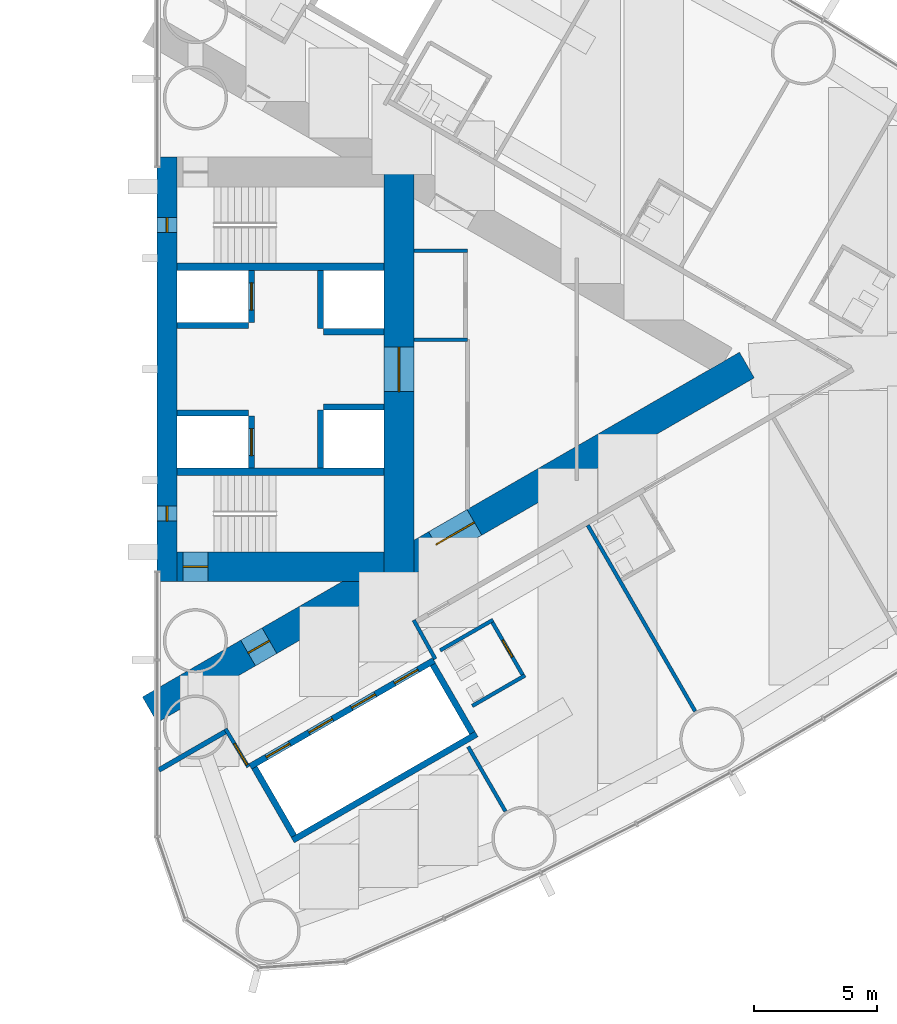
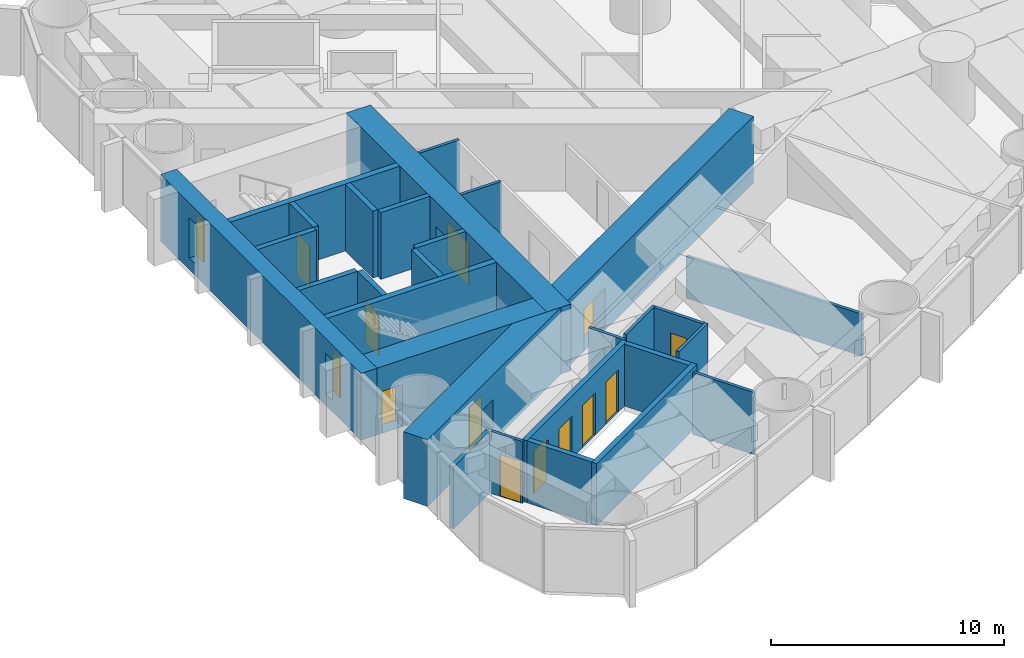
# One storey, part 13 of 18: 28 walls, 12 doors, 2 windows, 14 openings.
"""IFC4 building model written with IfcOpenShell, lengths in metres."""

from ifc_helpers import new_model, si_unit, direction, frame, frame_2d, origin, place, context, subcontext, project, spatial, rectangle, extrude, material, layer, layer_set, type_object, element, fill, save


model = new_model("IFC4")

# Units and contexts
model_context = context("Model", 3, precision=1e-05, world=origin(), true_north=direction((0.0, 1.0)))
body_context = subcontext(model_context, "Body", "Model", "MODEL_VIEW")
ifc_project = project(units=[si_unit("LENGTHUNIT", "METRE"), si_unit("AREAUNIT", "SQUARE_METRE"), si_unit("VOLUMEUNIT", "CUBIC_METRE"), si_unit("PLANEANGLEUNIT", "RADIAN"), si_unit("MASSUNIT", "GRAM", prefix="KILO")], contexts=[model_context])

# Site, building, storey
site_placement = place(None, origin())
site = spatial("IfcSite", under=ifc_project, at=site_placement, CompositionType="ELEMENT")
building_placement = place(site_placement, origin())
building = spatial("IfcBuilding", under=site, at=building_placement, Name="Lancet Gate Hotel", CompositionType="ELEMENT")
storey_placement = place(building_placement, frame((0.0, 0.0, 139.60009765625)))
storey = spatial("IfcBuildingStorey", under=building, at=storey_placement, Name="L37", CompositionType="ELEMENT", Elevation=139.60009765625)

# Wall
ifc_material_1 = material(Name="Moisture resistant board partition")
ifc_layer_1 = layer(ifc_material_1, 0.14990234375)
ifc_layer_set_1 = layer_set([ifc_layer_1], Name="Bathroom wall 150")
wall_type_1 = type_object("IfcWallType", Name="Bathroom wall 150", PredefinedType="PARTITIONING", material=ifc_layer_set_1)
wall_1_placement = place(storey_placement, frame((40.269775390625, -13.644287109375, 0.0), z_axis=(0.0, 0.0, 1.0), x_axis=(0.866031185235, 0.4999899861, 0.0)))
element("IfcWall", 1, at=wall_1_placement, inside=storey, type_object=wall_type_1, Name="T2 bathroom wall 150 L37", PredefinedType="PARTITIONING", context=body_context, shape_type="SweptSolid", body=[
    extrude(rectangle(XDim=2.47509765625, YDim=0.14990234375, at=frame_2d((1.237548828125, 0.0))), origin(), (0.0, 0.0, 1.0), 3.25),
])

# Wall, opening, door
wall_2_placement = place(storey_placement, frame((41.04833984375, -10.192626953125, 0.0), z_axis=(0.0, 0.0, 1.0), x_axis=(0.500047596559, -0.865997922154, 0.0)))
wall_2 = element("IfcWall", 2, at=wall_2_placement, inside=storey, type_object=wall_type_1, Name="T2 bathroom wall 150 L37", PredefinedType="PARTITIONING", context=body_context, shape_type="SweptSolid", body=[
    extrude(rectangle(XDim=2.599853515625, YDim=0.14990234375, at=frame_2d((1.2998046875, 0.0))), origin(), (0.0, 0.0, 1.0), 3.25),
])
opening_1_placement = place(wall_2_placement, frame((0.89990234375, 0.0, 0.0)))
opening_1 = element("IfcOpeningElement", 3, at=opening_1_placement, cuts=wall_2, Name="Opening 3753-B", PredefinedType="OPENING", context=body_context, shape_type="SweptSolid", body=[
    extrude(rectangle(XDim=0.800048828125, YDim=2.199951171875, at=frame_2d((0.39990234375, 1.10009765625))), frame((0.0, 0.0849609375, 0.0), z_axis=(0.0, -1.0, 0.0), x_axis=(1.0, 0.0, 0.0)), (0.0, 0.0, 1.0), 0.169921875),
])
ifc_material_2 = material(Name="Timber door set", Category="wood")
door_type_1 = type_object("IfcDoorType", Name="Bathroom door 800", OperationType="SINGLE_SWING_RIGHT", PredefinedType="DOOR", material=ifc_material_2)
door_1_placement = place(opening_1_placement, origin())
door_1 = element("IfcDoor", 4, at=door_1_placement, inside=storey, type_object=door_type_1, Name="3753-B", OperationType="SINGLE_SWING_RIGHT", OverallHeight=2.199951171875, OverallWidth=0.800048828125, PredefinedType="DOOR", context=body_context, shape_type="SweptSolid", body=[
    extrude(rectangle(XDim=0.800048828125, YDim=2.199951171875, at=frame_2d((0.39990234375, 1.10009765625))), frame((0.0, 0.02490234375, 0.0), z_axis=(0.0, -1.0, 0.0), x_axis=(1.0, 0.0, 0.0)), (0.0, 0.0, 1.0), 0.050048828125),
])
fill(opening_1, door_1)

# Wall
wall_3_placement = place(storey_placement, frame((38.9697265625, -11.392578125, 0.0), z_axis=(0.0, 0.0, 1.0), x_axis=(0.866031185235, 0.4999899861, 0.0)))
element("IfcWall", 5, at=wall_3_placement, inside=storey, type_object=wall_type_1, Name="T2 bathroom wall 150 L37", PredefinedType="PARTITIONING", context=body_context, shape_type="SweptSolid", body=[
    extrude(rectangle(XDim=2.47509765625, YDim=0.14990234375, at=frame_2d((1.237548828125, 0.0))), origin(), (0.0, 0.0, 1.0), 3.25),
])

# Wall, openings, doors
ifc_material_3 = material(Name="Concrete C70/85", Category="concrete")
ifc_layer_2 = layer(ifc_material_3, 1.199951171875)
ifc_layer_set_2 = layer_set([ifc_layer_2], Name="Buttress wall 1200")
wall_type_2 = type_object("IfcWallType", Name="Buttress wall 1200", PredefinedType="SHEAR", material=ifc_layer_set_2)
wall_4_placement = place(storey_placement, frame((27.199951171875, -13.800048828125, 0.0), z_axis=(0.0, 0.0, 1.0), x_axis=(0.866027159892, 0.499996958321, 0.0)))
wall_4 = element("IfcWall", 6, at=wall_4_placement, inside=storey, type_object=wall_type_2, Name="T2 buttress wall S L37", PredefinedType="SHEAR", context=body_context, shape_type="SweptSolid", body=[
    extrude(rectangle(XDim=27.946533203125, YDim=1.199951171875, at=frame_2d((13.97314453125, 0.0))), origin(), (0.0, 0.0, 1.0), 3.5),
])
opening_2_placement = place(wall_4_placement, frame((4.60009765625, 0.0, 0.0)))
opening_2 = element("IfcOpeningElement", 7, at=opening_2_placement, cuts=wall_4, Name="Opening T2-L37-LS", PredefinedType="OPENING", context=body_context, shape_type="SweptSolid", body=[
    extrude(rectangle(XDim=1.0, YDim=2.199951171875, at=frame_2d((0.5, 1.10009765625))), frame((0.0, 0.60986328125, 0.0), z_axis=(0.0, -1.0, 0.0), x_axis=(1.0, 0.0, 0.0)), (0.0, 0.0, 1.0), 1.219970703125),
])
opening_3_placement = place(wall_4_placement, frame((13.39453125, 0.0, 0.0)))
opening_3 = element("IfcOpeningElement", 8, at=opening_3_placement, cuts=wall_4, Name="Opening T2-L37-LHS", PredefinedType="OPENING", context=body_context, shape_type="SweptSolid", body=[
    extrude(rectangle(XDim=1.800048828125, YDim=2.199951171875, at=frame_2d((0.89990234375, 1.10009765625))), frame((0.0, 0.60986328125, 0.0), z_axis=(0.0, -1.0, 0.0), x_axis=(1.0, 0.0, 0.0)), (0.0, 0.0, 1.0), 1.219970703125),
])
ifc_material_4 = material(Name="Timber door set", Category="wood")
door_type_2 = type_object("IfcDoorType", Name="Lobby double door 1800", OperationType="DOUBLE_DOOR_SINGLE_SWING", PredefinedType="DOOR", material=ifc_material_4)
door_2_placement = place(opening_3_placement, origin())
door_2 = element("IfcDoor", 9, at=door_2_placement, inside=storey, type_object=door_type_2, Name="T2-L37-LHS", OperationType="DOUBLE_DOOR_SINGLE_SWING", OverallHeight=2.199951171875, OverallWidth=1.800048828125, PredefinedType="DOOR", context=body_context, shape_type="SweptSolid", body=[
    extrude(rectangle(XDim=1.800048828125, YDim=2.199951171875, at=frame_2d((0.89990234375, 1.10009765625))), frame((0.0, 0.02490234375, 0.0), z_axis=(0.0, -1.0, 0.0), x_axis=(1.0, 0.0, 0.0)), (0.0, 0.0, 1.0), 0.050048828125),
])
fill(opening_3, door_2)
ifc_material_5 = material(Name="Timber door set", Category="wood")
door_type_3 = type_object("IfcDoorType", Name="Stair lobby door 1000", OperationType="SINGLE_SWING_LEFT", PredefinedType="DOOR", material=ifc_material_5)
door_3_placement = place(opening_2_placement, origin())
door_3 = element("IfcDoor", 10, at=door_3_placement, inside=storey, type_object=door_type_3, Name="T2-L37-LS", OperationType="SINGLE_SWING_LEFT", OverallHeight=2.199951171875, OverallWidth=1.0, PredefinedType="DOOR", context=body_context, shape_type="SweptSolid", body=[
    extrude(rectangle(XDim=1.0, YDim=2.199951171875, at=frame_2d((0.5, 1.10009765625))), frame((0.0, 0.02490234375, 0.0), z_axis=(0.0, -1.0, 0.0), x_axis=(1.0, 0.0, 0.0)), (0.0, 0.0, 1.0), 0.050048828125),
])
fill(opening_2, door_3)

# Wall, opening, door
ifc_material_6 = material(Name="Concrete C70/85", Category="concrete")
ifc_layer_3 = layer(ifc_material_6, 1.199951171875)
ifc_layer_set_3 = layer_set([ifc_layer_3], Name="Core wall 1200")
wall_type_3 = type_object("IfcWallType", Name="Core wall 1200", PredefinedType="SHEAR", material=ifc_layer_set_3)
wall_5_placement = place(storey_placement, frame((37.300048828125, -8.60009765625, 0.0), z_axis=(0.0, 0.0, 1.0), x_axis=(0.0, 1.0, 0.0)))
wall_5 = element("IfcWall", 11, at=wall_5_placement, inside=storey, type_object=wall_type_3, Name="T2 core wall back L37", PredefinedType="SHEAR", context=body_context, shape_type="SweptSolid", body=[
    extrude(rectangle(XDim=17.2001953125, YDim=1.199951171875, at=frame_2d((8.60009765625, 0.0))), origin(), (0.0, 0.0, 1.0), 3.5),
])
opening_4_placement = place(wall_5_placement, frame((7.699951171875, 0.0, 0.0)))
opening_4 = element("IfcOpeningElement", 12, at=opening_4_placement, cuts=wall_5, Name="Opening T2-L37-LL", PredefinedType="OPENING", context=body_context, shape_type="SweptSolid", body=[
    extrude(rectangle(XDim=1.800048828125, YDim=2.199951171875, at=frame_2d((0.89990234375, 1.10009765625))), frame((0.0, 0.60986328125, 0.0), z_axis=(0.0, -1.0, 0.0), x_axis=(1.0, 0.0, 0.0)), (0.0, 0.0, 1.0), 1.219970703125),
])
door_4_placement = place(opening_4_placement, origin())
door_4 = element("IfcDoor", 13, at=door_4_placement, inside=storey, type_object=door_type_2, Name="T2-L37-LL", OperationType="DOUBLE_DOOR_SINGLE_SWING", OverallHeight=2.199951171875, OverallWidth=1.800048828125, PredefinedType="DOOR", context=body_context, shape_type="SweptSolid", body=[
    extrude(rectangle(XDim=1.800048828125, YDim=2.199951171875, at=frame_2d((0.89990234375, 1.10009765625))), frame((0.0, 0.02490234375, 0.0), z_axis=(0.0, -1.0, 0.0), x_axis=(1.0, 0.0, 0.0)), (0.0, 0.0, 1.0), 0.050048828125),
])
fill(opening_4, door_4)

wall_6_placement = place(storey_placement, frame((28.300048828125, -8.0, 0.0), z_axis=(0.0, 0.0, 1.0), x_axis=(1.0, 0.0, 0.0)))
wall_6 = element("IfcWall", 14, at=wall_6_placement, inside=storey, type_object=wall_type_3, Name="T2 core wall side-S L37", PredefinedType="SHEAR", context=body_context, shape_type="SweptSolid", body=[
    extrude(rectangle(XDim=8.39990234375, YDim=1.199951171875, at=frame_2d((4.199951171875, 0.0))), origin(), (0.0, 0.0, 1.0), 3.5),
])
opening_5_placement = place(wall_6_placement, frame((0.25, 0.0, 0.0)))
opening_5 = element("IfcOpeningElement", 15, at=opening_5_placement, cuts=wall_6, Name="Opening T2-L37-ST1", PredefinedType="OPENING", context=body_context, shape_type="SweptSolid", body=[
    extrude(rectangle(XDim=1.0, YDim=2.199951171875, at=frame_2d((0.5, 1.10009765625))), frame((0.0, 0.60986328125, 0.0), z_axis=(0.0, -1.0, 0.0), x_axis=(1.0, 0.0, 0.0)), (0.0, 0.0, 1.0), 1.219970703125),
])
ifc_material_7 = material(Name="Timber door set", Category="wood")
door_type_4 = type_object("IfcDoorType", Name="Stair door 1000", OperationType="SINGLE_SWING_RIGHT", PredefinedType="DOOR", material=ifc_material_7)
door_5_placement = place(opening_5_placement, origin())
door_5 = element("IfcDoor", 16, at=door_5_placement, inside=storey, type_object=door_type_4, Name="T2-L37-ST1", OperationType="SINGLE_SWING_RIGHT", OverallHeight=2.199951171875, OverallWidth=1.0, PredefinedType="DOOR", context=body_context, shape_type="SweptSolid", body=[
    extrude(rectangle(XDim=1.0, YDim=2.199951171875, at=frame_2d((0.5, 1.10009765625))), frame((0.0, 0.02490234375, 0.0), z_axis=(0.0, -1.0, 0.0), x_axis=(1.0, 0.0, 0.0)), (0.0, 0.0, 1.0), 0.050048828125),
])
fill(opening_5, door_5)

# Wall, openings, windows
ifc_material_8 = material(Name="Concrete C70/85", Category="concrete")
ifc_layer_4 = layer(ifc_material_8, 0.800048828125)
ifc_layer_set_4 = layer_set([ifc_layer_4], Name="Core wall 800")
wall_type_4 = type_object("IfcWallType", Name="Core wall 800", PredefinedType="SHEAR", material=ifc_layer_set_4)
wall_7_placement = place(storey_placement, frame((27.89990234375, -8.60009765625, 0.0), z_axis=(0.0, 0.0, 1.0), x_axis=(0.0, 1.0, 0.0)))
wall_7 = element("IfcWall", 17, at=wall_7_placement, inside=storey, type_object=wall_type_4, Name="T2 core wall front L37", PredefinedType="SHEAR", context=body_context, shape_type="SweptSolid", body=[
    extrude(rectangle(XDim=17.2001953125, YDim=0.800048828125, at=frame_2d((8.60009765625, 0.0))), origin(), (0.0, 0.0, 1.0), 3.5),
])
opening_6_placement = place(wall_7_placement, frame((2.449951171875, 0.0, 0.60009765625)))
opening_6 = element("IfcOpeningElement", 18, at=opening_6_placement, cuts=wall_7, Name="Opening LW1", PredefinedType="OPENING", context=body_context, shape_type="SweptSolid", body=[
    extrude(rectangle(XDim=0.60009765625, YDim=2.10009765625, at=frame_2d((0.300048828125, 1.050048828125))), frame((0.0, 0.409912109375, 0.0), z_axis=(0.0, -1.0, 0.0), x_axis=(1.0, 0.0, 0.0)), (0.0, 0.0, 1.0), 0.820068359375),
])
opening_7_placement = place(wall_7_placement, frame((14.14990234375, 0.0, 0.60009765625)))
opening_7 = element("IfcOpeningElement", 19, at=opening_7_placement, cuts=wall_7, Name="Opening LW1", PredefinedType="OPENING", context=body_context, shape_type="SweptSolid", body=[
    extrude(rectangle(XDim=0.60009765625, YDim=2.10009765625, at=frame_2d((0.300048828125, 1.050048828125))), frame((0.0, 0.409912109375, 0.0), z_axis=(0.0, -1.0, 0.0), x_axis=(1.0, 0.0, 0.0)), (0.0, 0.0, 1.0), 0.820068359375),
])
ifc_material_9 = material(Name="Fire-resisting glazed steel window", Category="steel")
window_type = type_object("IfcWindowType", Name="Lancet window 600x2100", PartitioningType="SINGLE_PANEL", PredefinedType="WINDOW", material=ifc_material_9)
window_1_placement = place(opening_6_placement, origin())
window_1 = element("IfcWindow", 20, at=window_1_placement, inside=storey, type_object=window_type, Name="T2 stair window S L37", OverallHeight=2.10009765625, OverallWidth=0.60009765625, PartitioningType="SINGLE_PANEL", PredefinedType="WINDOW", context=body_context, shape_type="SweptSolid", body=[
    extrude(rectangle(XDim=0.60009765625, YDim=2.10009765625, at=frame_2d((0.300048828125, 1.050048828125))), frame((0.0, 0.030029296875, 0.0), z_axis=(0.0, -1.0, 0.0), x_axis=(1.0, 0.0, 0.0)), (0.0, 0.0, 1.0), 0.06005859375),
])
fill(opening_6, window_1)
window_2_placement = place(opening_7_placement, origin())
window_2 = element("IfcWindow", 21, at=window_2_placement, inside=storey, type_object=window_type, Name="T2 stair window N L37", OverallHeight=2.10009765625, OverallWidth=0.60009765625, PartitioningType="SINGLE_PANEL", PredefinedType="WINDOW", context=body_context, shape_type="SweptSolid", body=[
    extrude(rectangle(XDim=0.60009765625, YDim=2.10009765625, at=frame_2d((0.300048828125, 1.050048828125))), frame((0.0, 0.030029296875, 0.0), z_axis=(0.0, -1.0, 0.0), x_axis=(1.0, 0.0, 0.0)), (0.0, 0.0, 1.0), 0.06005859375),
])
fill(opening_7, window_2)

# Wall
ifc_material_10 = material(Name="Gypsum board partition")
ifc_layer_5 = layer(ifc_material_10, 0.199951171875)
ifc_layer_set_5 = layer_set([ifc_layer_5], Name="Corridor wall 200")
wall_type_5 = type_object("IfcWallType", Name="Corridor wall 200", PredefinedType="PARTITIONING", material=ifc_layer_set_5)
wall_8_placement = place(storey_placement, frame((27.572021484375, -16.240966796875, 0.0), z_axis=(0.0, 0.0, 1.0), x_axis=(0.866029654818, 0.499992636921, 0.0)))
element("IfcWall", 22, at=wall_8_placement, inside=storey, type_object=wall_type_5, Name="T2 corridor wall 200 L37", PredefinedType="PARTITIONING", context=body_context, shape_type="SweptSolid", body=[
    extrude(rectangle(XDim=3.15478515625, YDim=0.199951171875, at=frame_2d((1.577392578125, 0.0))), origin(), (0.0, 0.0, 1.0), 3.25),
])

# Wall, openings, doors
ifc_material_11 = material(Name="Gypsum board partition")
ifc_layer_6 = layer(ifc_material_11, 0.25)
ifc_layer_set_6 = layer_set([ifc_layer_6], Name="Lift shaft partition 250")
wall_type_6 = type_object("IfcWallType", Name="Lift shaft partition 250", PredefinedType="PARTITIONING", material=ifc_layer_set_6)
wall_9_placement = place(storey_placement, frame((31.2705078125, -16.09716796875, 0.0), z_axis=(0.0, 0.0, 1.0), x_axis=(0.86604045752, 0.499973925258, 0.0)))
wall_9 = element("IfcWall", 23, at=wall_9_placement, inside=storey, type_object=wall_type_6, Name="T2 lift shaft wall LR L37", PredefinedType="PARTITIONING", context=body_context, shape_type="SweptSolid", body=[
    extrude(rectangle(XDim=8.60009765625, YDim=0.25, at=frame_2d((4.300048828125, 0.0))), origin(), (0.0, 0.0, 1.0), 3.25),
])
opening_8_placement = place(wall_9_placement, frame((0.75, 0.0, 0.0)))
opening_8 = element("IfcOpeningElement", 24, at=opening_8_placement, cuts=wall_9, Name="Opening T2-LR1-L37", PredefinedType="OPENING", context=body_context, shape_type="SweptSolid", body=[
    extrude(rectangle(XDim=1.10009765625, YDim=2.199951171875, at=frame_2d((0.550048828125, 1.10009765625))), frame((0.0, 0.135009765625, 0.0), z_axis=(0.0, -1.0, 0.0), x_axis=(1.0, 0.0, 0.0)), (0.0, 0.0, 1.0), 0.27001953125),
])
opening_9_placement = place(wall_9_placement, frame((2.75, 0.0, 0.0)))
opening_9 = element("IfcOpeningElement", 25, at=opening_9_placement, cuts=wall_9, Name="Opening T2-LR2-L37", PredefinedType="OPENING", context=body_context, shape_type="SweptSolid", body=[
    extrude(rectangle(XDim=1.10009765625, YDim=2.199951171875, at=frame_2d((0.550048828125, 1.10009765625))), frame((0.0, 0.135009765625, 0.0), z_axis=(0.0, -1.0, 0.0), x_axis=(1.0, 0.0, 0.0)), (0.0, 0.0, 1.0), 0.27001953125),
])
opening_10_placement = place(wall_9_placement, frame((4.75, 0.0, 0.0)))
opening_10 = element("IfcOpeningElement", 26, at=opening_10_placement, cuts=wall_9, Name="Opening T2-LR3-L37", PredefinedType="OPENING", context=body_context, shape_type="SweptSolid", body=[
    extrude(rectangle(XDim=1.10009765625, YDim=2.199951171875, at=frame_2d((0.550048828125, 1.10009765625))), frame((0.0, 0.135009765625, 0.0), z_axis=(0.0, -1.0, 0.0), x_axis=(1.0, 0.0, 0.0)), (0.0, 0.0, 1.0), 0.27001953125),
])
opening_11_placement = place(wall_9_placement, frame((6.75, 0.0, 0.0)))
opening_11 = element("IfcOpeningElement", 27, at=opening_11_placement, cuts=wall_9, Name="Opening T2-LR4-L37", PredefinedType="OPENING", context=body_context, shape_type="SweptSolid", body=[
    extrude(rectangle(XDim=1.10009765625, YDim=2.199951171875, at=frame_2d((0.550048828125, 1.10009765625))), frame((0.0, 0.135009765625, 0.0), z_axis=(0.0, -1.0, 0.0), x_axis=(1.0, 0.0, 0.0)), (0.0, 0.0, 1.0), 0.27001953125),
])
ifc_material_12 = material(Name="Steel door set", Category="steel")
door_type_5 = type_object("IfcDoorType", Name="Lift landing door 1100", OperationType="DOUBLE_DOOR_SLIDING", PredefinedType="USERDEFINED", material=ifc_material_12)
door_6_placement = place(opening_8_placement, origin())
door_6 = element("IfcDoor", 28, at=door_6_placement, inside=storey, type_object=door_type_5, Name="T2-LR1-L37", ObjectType="LIFT LANDING DOOR", OperationType="DOUBLE_DOOR_SLIDING", OverallHeight=2.199951171875, OverallWidth=1.10009765625, PredefinedType="USERDEFINED", context=body_context, shape_type="SweptSolid", body=[
    extrude(rectangle(XDim=1.10009765625, YDim=2.199951171875, at=frame_2d((0.550048828125, 1.10009765625))), frame((0.0, 0.02490234375, 0.0), z_axis=(0.0, -1.0, 0.0), x_axis=(1.0, 0.0, 0.0)), (0.0, 0.0, 1.0), 0.050048828125),
])
fill(opening_8, door_6)
door_7_placement = place(opening_9_placement, origin())
door_7 = element("IfcDoor", 29, at=door_7_placement, inside=storey, type_object=door_type_5, Name="T2-LR2-L37", ObjectType="LIFT LANDING DOOR", OperationType="DOUBLE_DOOR_SLIDING", OverallHeight=2.199951171875, OverallWidth=1.10009765625, PredefinedType="USERDEFINED", context=body_context, shape_type="SweptSolid", body=[
    extrude(rectangle(XDim=1.10009765625, YDim=2.199951171875, at=frame_2d((0.550048828125, 1.10009765625))), frame((0.0, 0.02490234375, 0.0), z_axis=(0.0, -1.0, 0.0), x_axis=(1.0, 0.0, 0.0)), (0.0, 0.0, 1.0), 0.050048828125),
])
fill(opening_9, door_7)
door_8_placement = place(opening_10_placement, origin())
door_8 = element("IfcDoor", 30, at=door_8_placement, inside=storey, type_object=door_type_5, Name="T2-LR3-L37", ObjectType="LIFT LANDING DOOR", OperationType="DOUBLE_DOOR_SLIDING", OverallHeight=2.199951171875, OverallWidth=1.10009765625, PredefinedType="USERDEFINED", context=body_context, shape_type="SweptSolid", body=[
    extrude(rectangle(XDim=1.10009765625, YDim=2.199951171875, at=frame_2d((0.550048828125, 1.10009765625))), frame((0.0, 0.02490234375, 0.0), z_axis=(0.0, -1.0, 0.0), x_axis=(1.0, 0.0, 0.0)), (0.0, 0.0, 1.0), 0.050048828125),
])
fill(opening_10, door_8)
door_9_placement = place(opening_11_placement, origin())
door_9 = element("IfcDoor", 31, at=door_9_placement, inside=storey, type_object=door_type_5, Name="T2-LR4-L37", ObjectType="LIFT LANDING DOOR", OperationType="DOUBLE_DOOR_SLIDING", OverallHeight=2.199951171875, OverallWidth=1.10009765625, PredefinedType="USERDEFINED", context=body_context, shape_type="SweptSolid", body=[
    extrude(rectangle(XDim=1.10009765625, YDim=2.199951171875, at=frame_2d((0.550048828125, 1.10009765625))), frame((0.0, 0.02490234375, 0.0), z_axis=(0.0, -1.0, 0.0), x_axis=(1.0, 0.0, 0.0)), (0.0, 0.0, 1.0), 0.050048828125),
])
fill(opening_11, door_9)

# Walls
wall_10_placement = place(storey_placement, frame((32.99560546875, -19.085693359375, 0.0), z_axis=(0.0, 0.0, 1.0), x_axis=(0.866028165386, 0.499995216735, 0.0)))
element("IfcWall", 32, at=wall_10_placement, inside=storey, type_object=wall_type_6, Name="T2 lift shaft wall LR L37", PredefinedType="PARTITIONING", context=body_context, shape_type="SweptSolid", body=[
    extrude(rectangle(XDim=8.60009765625, YDim=0.25, at=frame_2d((4.300048828125, 0.0))), origin(), (0.0, 0.0, 1.0), 3.25),
])
for number, where, z_axis, x_axis, name in (
    (33, (31.441162109375, -16.14306640625, 0.0), (0.0, 0.0, 1.0), (0.499929347863, -0.866066190972, 0.0), "T2 lift shaft wall LR L37"),
    (34, (38.672607421875, -11.968017578125, 0.0), (0.0, 0.0, 1.0), (0.499929347863, -0.866066190972, 0.0), "T2 lift shaft wall LR L37"),
):
    element("IfcWall", number, at=place(storey_placement, frame(where, z_axis=z_axis, x_axis=x_axis)), inside=storey, type_object=wall_type_6, Name=name, PredefinedType="PARTITIONING", context=body_context, shape_type="SweptSolid", body=[
        extrude(rectangle(XDim=3.20068359375, YDim=0.25, at=frame_2d((1.600341796875, 0.0))), origin(), (0.0, 0.0, 1.0), 3.25),
    ])

# Wall, opening, door
ifc_material_13 = material(Name="Concrete C50/60", Category="concrete")
ifc_layer_7 = layer(ifc_material_13, 0.25)
ifc_layer_set_7 = layer_set([ifc_layer_7], Name="Lift shaft wall 250")
wall_type_7 = type_object("IfcWallType", Name="Lift shaft wall 250", PredefinedType="SHEAR", material=ifc_layer_set_7)
wall_11_placement = place(storey_placement, frame((31.324951171875, -4.0, 0.0), z_axis=(0.0, 0.0, 1.0), x_axis=(0.0, 1.0, 0.0)))
wall_11 = element("IfcWall", 35, at=wall_11_placement, inside=storey, type_object=wall_type_7, Name="T2 core wall row1-S L37", PredefinedType="SHEAR", context=body_context, shape_type="SweptSolid", body=[
    extrude(rectangle(XDim=2.10009765625, YDim=0.25, at=frame_2d((1.050048828125, 0.0))), origin(), (0.0, 0.0, 1.0), 3.5),
])
opening_12_placement = place(wall_11_placement, frame((0.5, 0.0, 0.0)))
opening_12 = element("IfcOpeningElement", 36, at=opening_12_placement, cuts=wall_11, Name="Opening T2-SL1-L37", PredefinedType="OPENING", context=body_context, shape_type="SweptSolid", body=[
    extrude(rectangle(XDim=1.10009765625, YDim=2.199951171875, at=frame_2d((0.550048828125, 1.10009765625))), frame((0.0, 0.135009765625, 0.0), z_axis=(0.0, -1.0, 0.0), x_axis=(1.0, 0.0, 0.0)), (0.0, 0.0, 1.0), 0.27001953125),
])
ifc_material_14 = material(Name="Timber door set", Category="wood")
door_type_6 = type_object("IfcDoorType", Name="Service lift landing door 1100", OperationType="SLIDING_TO_LEFT", PredefinedType="USERDEFINED", material=ifc_material_14)
door_10_placement = place(opening_12_placement, origin())
door_10 = element("IfcDoor", 37, at=door_10_placement, inside=storey, type_object=door_type_6, Name="T2-SL1-L37", ObjectType="LIFT LANDING DOOR", OperationType="SLIDING_TO_LEFT", OverallHeight=2.199951171875, OverallWidth=1.10009765625, PredefinedType="USERDEFINED", context=body_context, shape_type="SweptSolid", body=[
    extrude(rectangle(XDim=1.10009765625, YDim=2.199951171875, at=frame_2d((0.550048828125, 1.10009765625))), frame((0.0, 0.02490234375, 0.0), z_axis=(0.0, -1.0, 0.0), x_axis=(1.0, 0.0, 0.0)), (0.0, 0.0, 1.0), 0.050048828125),
])
fill(opening_12, door_10)

# Walls
wall_12_placement = place(storey_placement, frame((34.125, -4.0, 0.0), z_axis=(0.0, 0.0, 1.0), x_axis=(0.0, 1.0, 0.0)))
element("IfcWall", 38, at=wall_12_placement, inside=storey, type_object=wall_type_7, Name="T2 core wall row2-S L37", PredefinedType="SHEAR", context=body_context, shape_type="SweptSolid", body=[
    extrude(rectangle(XDim=2.35009765625, YDim=0.25, at=frame_2d((1.175048828125, 0.0))), origin(), (0.0, 0.0, 1.0), 3.5),
])
wall_13_placement = place(storey_placement, frame((28.300048828125, -1.77490234375, 0.0), z_axis=(0.0, 0.0, 1.0), x_axis=(1.0, 0.0, 0.0)))
element("IfcWall", 39, at=wall_13_placement, inside=storey, type_object=wall_type_7, Name="T2 core wall pass1-S L37", PredefinedType="SHEAR", context=body_context, shape_type="SweptSolid", body=[
    extrude(rectangle(XDim=2.89990234375, YDim=0.25, at=frame_2d((1.449951171875, 0.0))), origin(), (0.0, 0.0, 1.0), 3.5),
])
wall_14_placement = place(storey_placement, frame((34.25, -1.52490234375, 0.0), z_axis=(0.0, 0.0, 1.0), x_axis=(1.0, 0.0, 0.0)))
element("IfcWall", 40, at=wall_14_placement, inside=storey, type_object=wall_type_7, Name="T2 core wall pass2-S L37", PredefinedType="SHEAR", context=body_context, shape_type="SweptSolid", body=[
    extrude(rectangle(XDim=2.449951171875, YDim=0.25, at=frame_2d((1.22509765625, 0.0))), origin(), (0.0, 0.0, 1.0), 3.5),
])

# Wall, opening, door
wall_15_placement = place(storey_placement, frame((31.324951171875, 1.89990234375, 0.0), z_axis=(0.0, 0.0, 1.0), x_axis=(0.0, 1.0, 0.0)))
wall_15 = element("IfcWall", 41, at=wall_15_placement, inside=storey, type_object=wall_type_7, Name="T2 core wall row1-N L37", PredefinedType="SHEAR", context=body_context, shape_type="SweptSolid", body=[
    extrude(rectangle(XDim=2.10009765625, YDim=0.25, at=frame_2d((1.050048828125, 0.0))), origin(), (0.0, 0.0, 1.0), 3.5),
])
opening_13_placement = place(wall_15_placement, frame((0.5, 0.0, 0.0)))
opening_13 = element("IfcOpeningElement", 42, at=opening_13_placement, cuts=wall_15, Name="Opening T2-FL2-L37", PredefinedType="OPENING", context=body_context, shape_type="SweptSolid", body=[
    extrude(rectangle(XDim=1.10009765625, YDim=2.199951171875, at=frame_2d((0.550048828125, 1.10009765625))), frame((0.0, 0.135009765625, 0.0), z_axis=(0.0, -1.0, 0.0), x_axis=(1.0, 0.0, 0.0)), (0.0, 0.0, 1.0), 0.27001953125),
])
ifc_material_15 = material(Name="Steel door set", Category="steel")
door_type_7 = type_object("IfcDoorType", Name="Firefighting lift landing door 1100", OperationType="SLIDING_TO_LEFT", PredefinedType="USERDEFINED", material=ifc_material_15)
door_11_placement = place(opening_13_placement, origin())
door_11 = element("IfcDoor", 43, at=door_11_placement, inside=storey, type_object=door_type_7, Name="T2-FL2-L37", ObjectType="LIFT LANDING DOOR", OperationType="SLIDING_TO_LEFT", OverallHeight=2.199951171875, OverallWidth=1.10009765625, PredefinedType="USERDEFINED", context=body_context, shape_type="SweptSolid", body=[
    extrude(rectangle(XDim=1.10009765625, YDim=2.199951171875, at=frame_2d((0.550048828125, 1.10009765625))), frame((0.0, 0.02490234375, 0.0), z_axis=(0.0, -1.0, 0.0), x_axis=(1.0, 0.0, 0.0)), (0.0, 0.0, 1.0), 0.050048828125),
])
fill(opening_13, door_11)

# Walls
wall_16_placement = place(storey_placement, frame((34.125, 1.64990234375, 0.0), z_axis=(0.0, 0.0, 1.0), x_axis=(0.0, 1.0, 0.0)))
element("IfcWall", 44, at=wall_16_placement, inside=storey, type_object=wall_type_7, Name="T2 core wall row2-N L37", PredefinedType="SHEAR", context=body_context, shape_type="SweptSolid", body=[
    extrude(rectangle(XDim=2.35009765625, YDim=0.25, at=frame_2d((1.175048828125, 0.0))), origin(), (0.0, 0.0, 1.0), 3.5),
])
wall_17_placement = place(storey_placement, frame((28.300048828125, 1.77490234375, 0.0), z_axis=(0.0, 0.0, 1.0), x_axis=(1.0, 0.0, 0.0)))
element("IfcWall", 45, at=wall_17_placement, inside=storey, type_object=wall_type_7, Name="T2 core wall pass1-N L37", PredefinedType="SHEAR", context=body_context, shape_type="SweptSolid", body=[
    extrude(rectangle(XDim=2.89990234375, YDim=0.25, at=frame_2d((1.449951171875, 0.0))), origin(), (0.0, 0.0, 1.0), 3.5),
])
wall_18_placement = place(storey_placement, frame((34.25, 1.52490234375, 0.0), z_axis=(0.0, 0.0, 1.0), x_axis=(1.0, 0.0, 0.0)))
element("IfcWall", 46, at=wall_18_placement, inside=storey, type_object=wall_type_7, Name="T2 core wall pass2-N L37", PredefinedType="SHEAR", context=body_context, shape_type="SweptSolid", body=[
    extrude(rectangle(XDim=2.449951171875, YDim=0.25, at=frame_2d((1.22509765625, 0.0))), origin(), (0.0, 0.0, 1.0), 3.5),
])
ifc_material_16 = material(Name="Gypsum board partition")
ifc_layer_8 = layer(ifc_material_16, 0.14990234375)
ifc_layer_set_8 = layer_set([ifc_layer_8], Name="Party wall 150")
wall_type_8 = type_object("IfcWallType", Name="Party wall 150", PredefinedType="PARTITIONING", material=ifc_layer_set_8)
wall_19_placement = place(storey_placement, frame((44.95361328125, -6.3212890625, 0.0), z_axis=(0.0, 0.0, 1.0), x_axis=(0.500018676722, -0.866014620505, 0.0)))
element("IfcWall", 47, at=wall_19_placement, inside=storey, type_object=wall_type_8, Name="T2 party wall 150 L37", PredefinedType="PARTITIONING", context=body_context, shape_type="SweptSolid", body=[
    extrude(rectangle(XDim=8.703857421875, YDim=0.14990234375, at=frame_2d((4.35205078125, 0.0))), origin(), (0.0, 0.0, 1.0), 2.199951171875),
])
wall_20_placement = place(storey_placement, frame((40.10546875, -15.298583984375, 0.0), z_axis=(0.0, 0.0, 1.0), x_axis=(0.499978822259, -0.866037630414, 0.0)))
element("IfcWall", 48, at=wall_20_placement, inside=storey, type_object=wall_type_8, Name="T2 party wall 150 L37", PredefinedType="PARTITIONING", context=body_context, shape_type="SweptSolid", body=[
    extrude(rectangle(XDim=3.022705078125, YDim=0.14990234375, at=frame_2d((1.51123046875, 0.0))), origin(), (0.0, 0.0, 1.0), 3.25),
])
ifc_material_17 = material(Name="Gypsum board partition")
ifc_layer_9 = layer(ifc_material_17, 0.14990234375)
ifc_layer_set_9 = layer_set([ifc_layer_9], Name="Service room wall 150")
wall_type_9 = type_object("IfcWallType", Name="Service room wall 150", PredefinedType="PARTITIONING", material=ifc_layer_set_9)
wall_21_placement = place(storey_placement, frame((38.7734375, -11.742431640625, 0.0), z_axis=(0.0, 0.0, 1.0), x_axis=(-0.485528096672, 0.8742210632, 0.0)))
element("IfcWall", 49, at=wall_21_placement, inside=storey, type_object=wall_type_9, Name="T2 service room wall 150 L37", PredefinedType="PARTITIONING", context=body_context, shape_type="SweptSolid", body=[
    extrude(rectangle(XDim=1.80517578125, YDim=0.14990234375, at=frame_2d((0.902587890625, 0.0))), origin(), (0.0, 0.0, 1.0), 3.25),
])

# Wall, opening, door
wall_22_placement = place(storey_placement, frame((30.26708984375, -14.5693359375, 0.0), z_axis=(0.0, 0.0, 1.0), x_axis=(0.514336634837, -0.857588377991, 0.0)))
wall_22 = element("IfcWall", 50, at=wall_22_placement, inside=storey, type_object=wall_type_9, Name="T2 service room wall 150 L37", PredefinedType="PARTITIONING", context=body_context, shape_type="SweptSolid", body=[
    extrude(rectangle(XDim=1.80517578125, YDim=0.14990234375, at=frame_2d((0.902587890625, 0.0))), origin(), (0.0, 0.0, 1.0), 3.25),
])
opening_14_placement = place(wall_22_placement, frame((0.702880859375, 0.0, 0.0)))
opening_14 = element("IfcOpeningElement", 51, at=opening_14_placement, cuts=wall_22, Name="Opening T2-L37-LO1", PredefinedType="OPENING", context=body_context, shape_type="SweptSolid", body=[
    extrude(rectangle(XDim=1.0, YDim=2.199951171875, at=frame_2d((0.5, 1.10009765625))), frame((0.0, 0.0849609375, 0.0), z_axis=(0.0, -1.0, 0.0), x_axis=(1.0, 0.0, 0.0)), (0.0, 0.0, 1.0), 0.169921875),
])
ifc_material_18 = material(Name="Timber door set", Category="wood")
door_type_8 = type_object("IfcDoorType", Name="Service door 1000", OperationType="SINGLE_SWING_LEFT", PredefinedType="DOOR", material=ifc_material_18)
door_12_placement = place(opening_14_placement, origin())
door_12 = element("IfcDoor", 52, at=door_12_placement, inside=storey, type_object=door_type_8, Name="T2-L37-LO1", OperationType="SINGLE_SWING_LEFT", OverallHeight=2.199951171875, OverallWidth=1.0, PredefinedType="DOOR", context=body_context, shape_type="SweptSolid", body=[
    extrude(rectangle(XDim=1.0, YDim=2.199951171875, at=frame_2d((0.5, 1.10009765625))), frame((0.0, 0.02490234375, 0.0), z_axis=(0.0, -1.0, 0.0), x_axis=(1.0, 0.0, 0.0)), (0.0, 0.0, 1.0), 0.050048828125),
])
fill(opening_14, door_12)

# Walls
for number, where, z_axis, x_axis, name in (
    (53, (37.89990234375, 1.199951171875, 0.0), (0.0, 0.0, 1.0), (1.0, 0.0, 0.0), "T2 service room wall 150 L37"),
    (54, (37.89990234375, 4.800048828125, 0.0), (0.0, 0.0, 1.0), (1.0, 0.0, 0.0), "T2 service room wall 150 L37"),
):
    element("IfcWall", number, at=place(storey_placement, frame(where, z_axis=z_axis, x_axis=x_axis)), inside=storey, type_object=wall_type_9, Name=name, PredefinedType="PARTITIONING", context=body_context, shape_type="SweptSolid", body=[
        extrude(rectangle(XDim=2.175048828125, YDim=0.14990234375, at=frame_2d((1.08740234375, 0.0))), origin(), (0.0, 0.0, 1.0), 3.25),
    ])
ifc_material_19 = material(Name="Concrete C50/60", Category="concrete")
ifc_layer_10 = layer(ifc_material_19, 0.300048828125)
ifc_layer_set_10 = layer_set([ifc_layer_10], Name="Stair enclosure wall 300")
wall_type_10 = type_object("IfcWallType", Name="Stair enclosure wall 300", PredefinedType="SHEAR", material=ifc_layer_set_10)
for number, where, z_axis, x_axis, name in (
    (55, (28.300048828125, -4.14990234375, 0.0), (0.0, 0.0, 1.0), (1.0, 0.0, 0.0), "T2 core wall stair-S L37"),
    (56, (28.300048828125, 4.14990234375, 0.0), (0.0, 0.0, 1.0), (1.0, 0.0, 0.0), "T2 core wall stair-N L37"),
):
    element("IfcWall", number, at=place(storey_placement, frame(where, z_axis=z_axis, x_axis=x_axis)), inside=storey, type_object=wall_type_10, Name=name, PredefinedType="SHEAR", context=body_context, shape_type="SweptSolid", body=[
        extrude(rectangle(XDim=8.39990234375, YDim=0.300048828125, at=frame_2d((4.199951171875, 0.0))), origin(), (0.0, 0.0, 1.0), 3.5),
    ])

save(model, "model.ifc")
